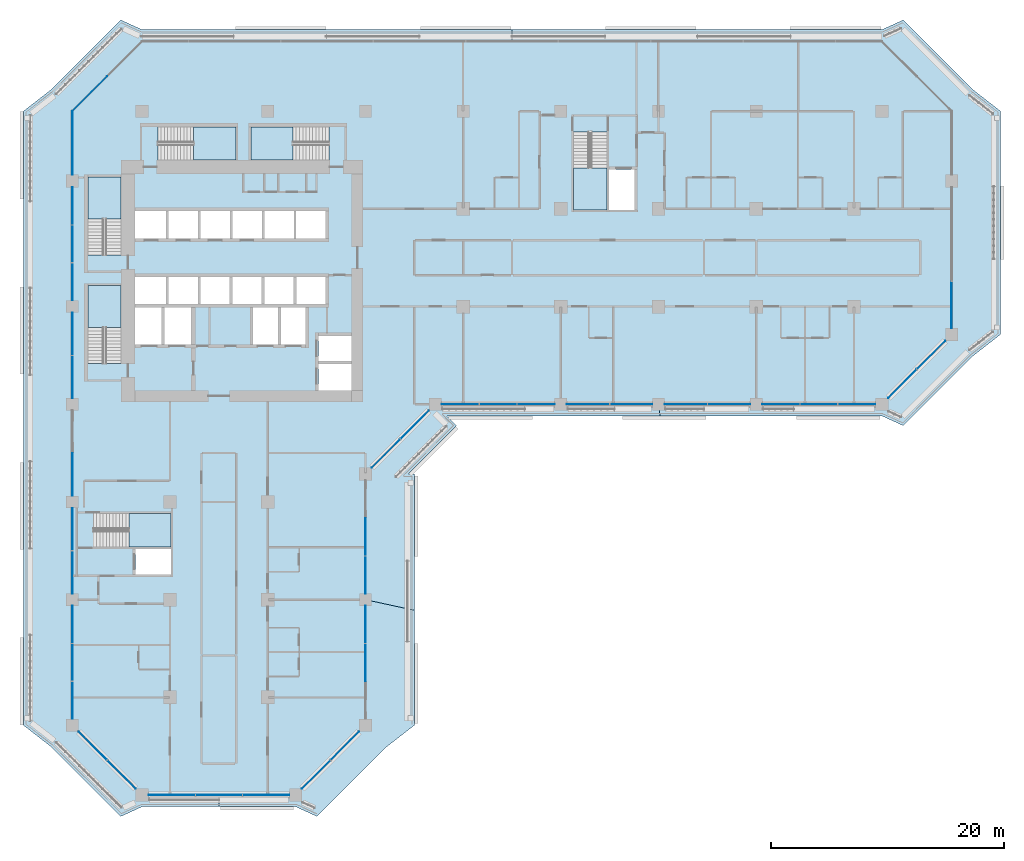
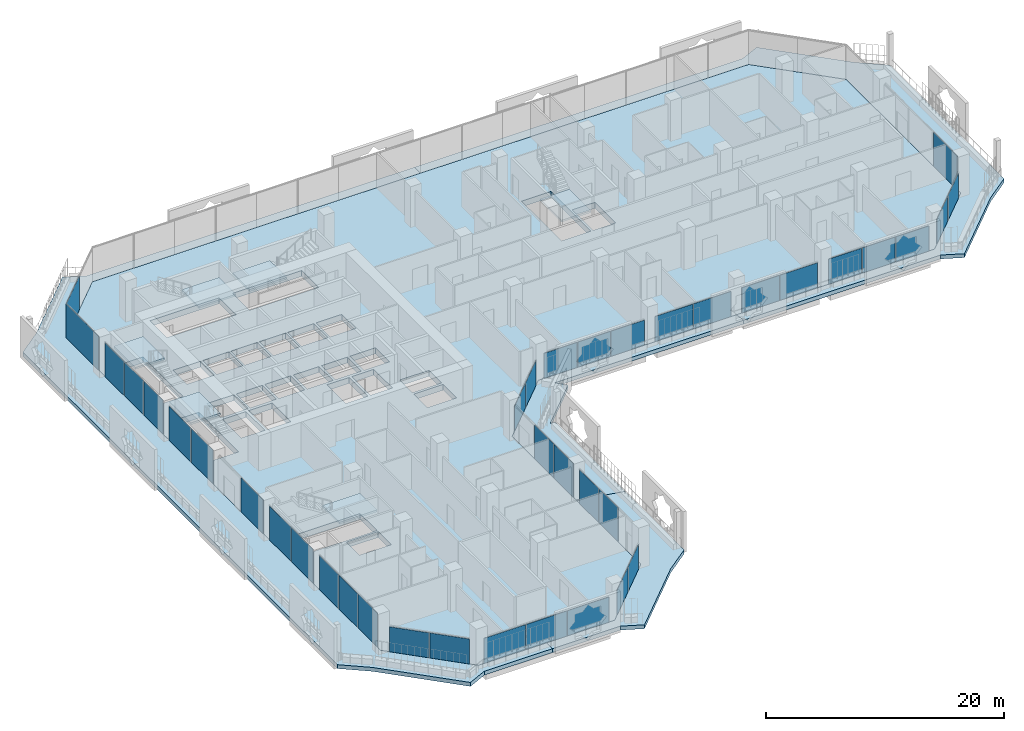
# One storey, part 10 of 25: 39 plates, 11 slabs, 16 elements without a shape of their own.
"""IFC4 building model written with IfcOpenShell, lengths in metres."""

from ifc_helpers import new_model, si_unit, direction, frame, origin, origin_2d, place, context, subcontext, project, spatial, polyline, rectangle, outline, extrude, material, layer, layer_set, type_object, element, aggregate, save


model = new_model("IFC4")

# Units and contexts
model_context = context("Model", 3, precision=1e-05, world=origin(), true_north=direction((0.0, 1.0)))
body_context = subcontext(model_context, "Body", "Model", "MODEL_VIEW")
ifc_project = project(units=[si_unit("LENGTHUNIT", "METRE"), si_unit("AREAUNIT", "SQUARE_METRE"), si_unit("VOLUMEUNIT", "CUBIC_METRE"), si_unit("PLANEANGLEUNIT", "RADIAN"), si_unit("MASSUNIT", "GRAM", prefix="KILO")], contexts=[model_context])

# Site, building, storey
site_placement = place(None, origin())
site = spatial("IfcSite", under=ifc_project, at=site_placement, CompositionType="ELEMENT")
building_placement = place(site_placement, origin())
building = spatial("IfcBuilding", under=site, at=building_placement, Name="Kawkab Arch Medical Tower", CompositionType="ELEMENT")
storey_placement = place(building_placement, frame((0.0, 0.0, 128.199951171875)))
storey = spatial("IfcBuildingStorey", under=building, at=storey_placement, Name="L29", CompositionType="ELEMENT", Elevation=128.199951171875)

# Curtain wall, plates
ifc_material_1 = material(Name="Bronze anodised aluminium curtain wall frame", Category="aluminium")
ifc_layer_1 = layer(ifc_material_1, 0.159912109375)
ifc_layer_set_1 = layer_set([ifc_layer_1], Name="Bronze anodised aluminium curtain wall frame")
curtain_wall_type_1 = type_object("IfcCurtainWallType", Name="CW1 ward curtain wall", PredefinedType="NOTDEFINED", material=ifc_layer_set_1)
placement_1 = place(storey_placement, origin())
curtain_wall_1 = element("IfcCurtainWall", 1, at=placement_1, inside=storey, type_object=curtain_wall_type_1, Name="CW1 Ward curtain wall R01", PredefinedType="NOTDEFINED")
ifc_material_2 = material(Name="Tinted insulating glass, bronze low-e coating", Category="glass")
ifc_layer_2 = layer(ifc_material_2, 0.031982421875)
ifc_layer_set_2 = layer_set([ifc_layer_2], Name="Tinted insulating glass, bronze low-e coating")
plate_type_1 = type_object("IfcPlateType", Name="CW1 glazing unit 32", PredefinedType="CURTAIN_PANEL", material=ifc_layer_set_2)
plate_1_placement = place(storey_placement, frame((0.0, -2.72509765625, 0.0), z_axis=(0.0, 0.0, 1.0), x_axis=(0.0, -1.0, 0.0)))
plate_1 = element("IfcPlate", 2, at=plate_1_placement, type_object=plate_type_1, Name="CW1 glazing unit 1.1", PredefinedType="CURTAIN_PANEL", context=body_context, shape_type="SweptSolid", body=[
    extrude(rectangle(XDim=5.449951171875, YDim=0.031982421875, at=origin_2d()), origin(), (0.0, 0.0, 1.0), 3.47998046875),
])
plate_2_placement = place(storey_placement, frame((0.0, -8.15576171875, 0.0), z_axis=(0.0, 0.0, 1.0), x_axis=(0.0, -1.0, 0.0)))
plate_2 = element("IfcPlate", 3, at=plate_2_placement, type_object=plate_type_1, Name="CW1 glazing unit 2.1", PredefinedType="CURTAIN_PANEL", context=body_context, shape_type="SweptSolid", body=[
    extrude(rectangle(XDim=3.211669921875, YDim=0.031982421875, at=origin_2d()), origin(), (0.0, 0.0, 1.0), 3.47998046875),
])
plate_3_placement = place(storey_placement, frame((0.0, -11.41259765625, 0.0), z_axis=(0.0, 0.0, 1.0), x_axis=(0.0, -1.0, 0.0)))
plate_3 = element("IfcPlate", 4, at=plate_3_placement, type_object=plate_type_1, Name="CW1 glazing unit 2.2", PredefinedType="CURTAIN_PANEL", context=body_context, shape_type="SweptSolid", body=[
    extrude(rectangle(XDim=3.181640625, YDim=0.031982421875, at=origin_2d()), origin(), (0.0, 0.0, 1.0), 3.47998046875),
])
plate_4_placement = place(storey_placement, frame((0.0, -14.669189453125, 0.0), z_axis=(0.0, 0.0, 1.0), x_axis=(0.0, -1.0, 0.0)))
plate_4 = element("IfcPlate", 5, at=plate_4_placement, type_object=plate_type_1, Name="CW1 glazing unit 2.3", PredefinedType="CURTAIN_PANEL", context=body_context, shape_type="SweptSolid", body=[
    extrude(rectangle(XDim=3.211669921875, YDim=0.031982421875, at=origin_2d()), origin(), (0.0, 0.0, 1.0), 3.47998046875),
])
plate_5_placement = place(storey_placement, frame((0.0, -19.1474609375, 0.0), z_axis=(0.0, 0.0, 1.0), x_axis=(0.0, -1.0, 0.0)))
plate_5 = element("IfcPlate", 6, at=plate_5_placement, type_object=plate_type_1, Name="CW1 glazing unit 3.1", PredefinedType="CURTAIN_PANEL", context=body_context, shape_type="SweptSolid", body=[
    extrude(rectangle(XDim=3.64501953125, YDim=0.031982421875, at=origin_2d()), origin(), (0.0, 0.0, 1.0), 3.47998046875),
])
plate_6_placement = place(storey_placement, frame((0.0, -22.8525390625, 0.0), z_axis=(0.0, 0.0, 1.0), x_axis=(0.0, -1.0, 0.0)))
plate_6 = element("IfcPlate", 7, at=plate_6_placement, type_object=plate_type_1, Name="CW1 glazing unit 3.2", PredefinedType="CURTAIN_PANEL", context=body_context, shape_type="SweptSolid", body=[
    extrude(rectangle(XDim=3.64501953125, YDim=0.031982421875, at=origin_2d()), origin(), (0.0, 0.0, 1.0), 3.47998046875),
])
plate_7_placement = place(storey_placement, frame((0.0, -31.237548828125, 0.0), z_axis=(0.0, 0.0, 1.0), x_axis=(0.0, -1.0, 0.0)))
plate_7 = element("IfcPlate", 8, at=plate_7_placement, type_object=plate_type_1, Name="CW1 glazing unit 4.2", PredefinedType="CURTAIN_PANEL", context=body_context, shape_type="SweptSolid", body=[
    extrude(rectangle(XDim=3.675048828125, YDim=0.031982421875, at=origin_2d()), origin(), (0.0, 0.0, 1.0), 3.47998046875),
])
plate_8_placement = place(storey_placement, frame((0.0, -35.947509765625, 0.0), z_axis=(0.0, 0.0, 1.0), x_axis=(0.0, -1.0, 0.0)))
plate_8 = element("IfcPlate", 9, at=plate_8_placement, type_object=plate_type_1, Name="CW1 glazing unit 5.1", PredefinedType="CURTAIN_PANEL", context=body_context, shape_type="SweptSolid", body=[
    extrude(rectangle(XDim=3.64501953125, YDim=0.031982421875, at=origin_2d()), origin(), (0.0, 0.0, 1.0), 3.47998046875),
])
plate_9_placement = place(storey_placement, frame((0.0, -39.652587890625, 0.0), z_axis=(0.0, 0.0, 1.0), x_axis=(0.0, -1.0, 0.0)))
plate_9 = element("IfcPlate", 10, at=plate_9_placement, type_object=plate_type_1, Name="CW1 glazing unit 5.2", PredefinedType="CURTAIN_PANEL", context=body_context, shape_type="SweptSolid", body=[
    extrude(rectangle(XDim=3.64501953125, YDim=0.031982421875, at=origin_2d()), origin(), (0.0, 0.0, 1.0), 3.47998046875),
])
plate_10_placement = place(storey_placement, frame((0.0, -44.130859375, 0.0), z_axis=(0.0, 0.0, 1.0), x_axis=(0.0, -1.0, 0.0)))
plate_10 = element("IfcPlate", 11, at=plate_10_placement, type_object=plate_type_1, Name="CW1 glazing unit 6.1", PredefinedType="CURTAIN_PANEL", context=body_context, shape_type="SweptSolid", body=[
    extrude(rectangle(XDim=3.211669921875, YDim=0.031982421875, at=origin_2d()), origin(), (0.0, 0.0, 1.0), 3.47998046875),
])
plate_11_placement = place(storey_placement, frame((0.0, -47.387451171875, 0.0), z_axis=(0.0, 0.0, 1.0), x_axis=(0.0, -1.0, 0.0)))
plate_11 = element("IfcPlate", 12, at=plate_11_placement, type_object=plate_type_1, Name="CW1 glazing unit 6.2", PredefinedType="CURTAIN_PANEL", context=body_context, shape_type="SweptSolid", body=[
    extrude(rectangle(XDim=3.181640625, YDim=0.031982421875, at=origin_2d()), origin(), (0.0, 0.0, 1.0), 3.47998046875),
])
plate_12_placement = place(storey_placement, frame((0.0, -50.644287109375, 0.0), z_axis=(0.0, 0.0, 1.0), x_axis=(0.0, -1.0, 0.0)))
plate_12 = element("IfcPlate", 13, at=plate_12_placement, type_object=plate_type_1, Name="CW1 glazing unit 6.3", PredefinedType="CURTAIN_PANEL", context=body_context, shape_type="SweptSolid", body=[
    extrude(rectangle(XDim=3.211669921875, YDim=0.031982421875, at=origin_2d()), origin(), (0.0, 0.0, 1.0), 3.47998046875),
])
aggregate(curtain_wall_1, [plate_1, plate_2, plate_3, plate_4, plate_5, plate_6, plate_7, plate_8, plate_9, plate_10, plate_11, plate_12])

curtain_wall_2 = element("IfcCurtainWall", 14, at=placement_1, inside=storey, type_object=curtain_wall_type_1, Name="CW1 Ward curtain wall R03", PredefinedType="NOTDEFINED")
plate_13_placement = place(storey_placement, frame((8.5517578125, -58.800048828125, 0.0), z_axis=(0.0, 0.0, 1.0), x_axis=(1.0, 0.0, 0.0)))
plate_13 = element("IfcPlate", 15, at=plate_13_placement, type_object=plate_type_1, Name="CW1 glazing unit 1.1", PredefinedType="CURTAIN_PANEL", context=body_context, shape_type="SweptSolid", body=[
    extrude(rectangle(XDim=4.00341796875, YDim=0.031982421875, at=origin_2d()), origin(), (0.0, 0.0, 1.0), 2.580078125),
])
plate_14_placement = place(storey_placement, frame((12.60009765625, -58.800048828125, 0.0), z_axis=(0.0, 0.0, 1.0), x_axis=(1.0, 0.0, 0.0)))
plate_14 = element("IfcPlate", 16, at=plate_14_placement, type_object=plate_type_1, Name="CW1 glazing unit 1.2", PredefinedType="CURTAIN_PANEL", context=body_context, shape_type="SweptSolid", body=[
    extrude(rectangle(XDim=3.973388671875, YDim=0.031982421875, at=origin_2d()), origin(), (0.0, 0.0, 1.0), 2.580078125),
])
plate_15_placement = place(storey_placement, frame((16.6484375, -58.800048828125, 0.0), z_axis=(0.0, 0.0, 1.0), x_axis=(1.0, 0.0, 0.0)))
plate_15 = element("IfcPlate", 17, at=plate_15_placement, type_object=plate_type_1, Name="CW1 glazing unit 1.3", PredefinedType="CURTAIN_PANEL", context=body_context, shape_type="SweptSolid", body=[
    extrude(rectangle(XDim=4.00341796875, YDim=0.031982421875, at=origin_2d()), origin(), (0.0, 0.0, 1.0), 2.580078125),
])
aggregate(curtain_wall_2, [plate_13, plate_14, plate_15])

curtain_wall_3 = element("IfcCurtainWall", 18, at=placement_1, inside=storey, type_object=curtain_wall_type_1, Name="CW1 Ward curtain wall R05", PredefinedType="NOTDEFINED")
plate_16_placement = place(storey_placement, frame((25.199951171875, -47.402587890625, 0.0), z_axis=(0.0, 0.0, 1.0), x_axis=(0.0, 1.0, 0.0)))
plate_16 = element("IfcPlate", 19, at=plate_16_placement, type_object=plate_type_1, Name="CW1 glazing unit 1.2", PredefinedType="CURTAIN_PANEL", context=body_context, shape_type="SweptSolid", body=[
    extrude(rectangle(XDim=3.211669921875, YDim=0.031982421875, at=origin_2d()), origin(), (0.0, 0.0, 1.0), 3.47998046875),
])
plate_17_placement = place(storey_placement, frame((25.199951171875, -44.130859375, 0.0), z_axis=(0.0, 0.0, 1.0), x_axis=(0.0, 1.0, 0.0)))
plate_17 = element("IfcPlate", 20, at=plate_17_placement, type_object=plate_type_1, Name="CW1 glazing unit 1.3", PredefinedType="CURTAIN_PANEL", context=body_context, shape_type="SweptSolid", body=[
    extrude(rectangle(XDim=3.211669921875, YDim=0.031982421875, at=origin_2d()), origin(), (0.0, 0.0, 1.0), 3.47998046875),
])
plate_18_placement = place(storey_placement, frame((25.199951171875, -39.869140625, 0.0), z_axis=(0.0, 0.0, 1.0), x_axis=(0.0, 1.0, 0.0)))
plate_18 = element("IfcPlate", 21, at=plate_18_placement, type_object=plate_type_1, Name="CW1 glazing unit 2.1", PredefinedType="CURTAIN_PANEL", context=body_context, shape_type="SweptSolid", body=[
    extrude(rectangle(XDim=3.211669921875, YDim=0.031982421875, at=origin_2d()), origin(), (0.0, 0.0, 1.0), 3.47998046875),
])
plate_19_placement = place(storey_placement, frame((25.199951171875, -36.597412109375, 0.0), z_axis=(0.0, 0.0, 1.0), x_axis=(0.0, 1.0, 0.0)))
plate_19 = element("IfcPlate", 22, at=plate_19_placement, type_object=plate_type_1, Name="CW1 glazing unit 2.2", PredefinedType="CURTAIN_PANEL", context=body_context, shape_type="SweptSolid", body=[
    extrude(rectangle(XDim=3.211669921875, YDim=0.031982421875, at=origin_2d()), origin(), (0.0, 0.0, 1.0), 3.47998046875),
])
aggregate(curtain_wall_3, [plate_16, plate_17, plate_18, plate_19])

curtain_wall_4 = element("IfcCurtainWall", 23, at=placement_1, inside=storey, type_object=curtain_wall_type_1, Name="CW1 Ward curtain wall R07", PredefinedType="NOTDEFINED")
plate_20_placement = place(storey_placement, frame((33.355712890625, -25.199951171875, 0.0), z_axis=(0.0, 0.0, 1.0), x_axis=(1.0, 0.0, 0.0)))
plate_20 = element("IfcPlate", 24, at=plate_20_placement, type_object=plate_type_1, Name="CW1 glazing unit 1.1", PredefinedType="CURTAIN_PANEL", context=body_context, shape_type="SweptSolid", body=[
    extrude(rectangle(XDim=3.211669921875, YDim=0.031982421875, at=origin_2d()), origin(), (0.0, 0.0, 1.0), 2.580078125),
])
plate_21_placement = place(storey_placement, frame((36.612548828125, -25.199951171875, 0.0), z_axis=(0.0, 0.0, 1.0), x_axis=(1.0, 0.0, 0.0)))
plate_21 = element("IfcPlate", 25, at=plate_21_placement, type_object=plate_type_1, Name="CW1 glazing unit 1.2", PredefinedType="CURTAIN_PANEL", context=body_context, shape_type="SweptSolid", body=[
    extrude(rectangle(XDim=3.181640625, YDim=0.031982421875, at=origin_2d()), origin(), (0.0, 0.0, 1.0), 2.580078125),
])
plate_22_placement = place(storey_placement, frame((39.869140625, -25.199951171875, 0.0), z_axis=(0.0, 0.0, 1.0), x_axis=(1.0, 0.0, 0.0)))
plate_22 = element("IfcPlate", 26, at=plate_22_placement, type_object=plate_type_1, Name="CW1 glazing unit 1.3", PredefinedType="CURTAIN_PANEL", context=body_context, shape_type="SweptSolid", body=[
    extrude(rectangle(XDim=3.211669921875, YDim=0.031982421875, at=origin_2d()), origin(), (0.0, 0.0, 1.0), 2.580078125),
])
plate_23_placement = place(storey_placement, frame((44.347412109375, -25.199951171875, 0.0), z_axis=(0.0, 0.0, 1.0), x_axis=(1.0, 0.0, 0.0)))
plate_23 = element("IfcPlate", 27, at=plate_23_placement, type_object=plate_type_1, Name="CW1 glazing unit 2.1", PredefinedType="CURTAIN_PANEL", context=body_context, shape_type="SweptSolid", body=[
    extrude(rectangle(XDim=3.64501953125, YDim=0.031982421875, at=origin_2d()), origin(), (0.0, 0.0, 1.0), 2.580078125),
])
plate_24_placement = place(storey_placement, frame((48.052490234375, -25.199951171875, 0.0), z_axis=(0.0, 0.0, 1.0), x_axis=(1.0, 0.0, 0.0)))
plate_24 = element("IfcPlate", 28, at=plate_24_placement, type_object=plate_type_1, Name="CW1 glazing unit 2.2", PredefinedType="CURTAIN_PANEL", context=body_context, shape_type="SweptSolid", body=[
    extrude(rectangle(XDim=3.64501953125, YDim=0.031982421875, at=origin_2d()), origin(), (0.0, 0.0, 1.0), 2.580078125),
])
plate_25_placement = place(storey_placement, frame((52.74755859375, -25.199951171875, 0.0), z_axis=(0.0, 0.0, 1.0), x_axis=(1.0, 0.0, 0.0)))
plate_25 = element("IfcPlate", 29, at=plate_25_placement, type_object=plate_type_1, Name="CW1 glazing unit 3.1", PredefinedType="CURTAIN_PANEL", context=body_context, shape_type="SweptSolid", body=[
    extrude(rectangle(XDim=3.64501953125, YDim=0.031982421875, at=origin_2d()), origin(), (0.0, 0.0, 1.0), 2.580078125),
])
plate_26_placement = place(storey_placement, frame((56.452392578125, -25.199951171875, 0.0), z_axis=(0.0, 0.0, 1.0), x_axis=(1.0, 0.0, 0.0)))
plate_26 = element("IfcPlate", 30, at=plate_26_placement, type_object=plate_type_1, Name="CW1 glazing unit 3.2", PredefinedType="CURTAIN_PANEL", context=body_context, shape_type="SweptSolid", body=[
    extrude(rectangle(XDim=3.64501953125, YDim=0.031982421875, at=origin_2d()), origin(), (0.0, 0.0, 1.0), 2.580078125),
])
plate_27_placement = place(storey_placement, frame((60.930908203125, -25.199951171875, 0.0), z_axis=(0.0, 0.0, 1.0), x_axis=(1.0, 0.0, 0.0)))
plate_27 = element("IfcPlate", 31, at=plate_27_placement, type_object=plate_type_1, Name="CW1 glazing unit 4.1", PredefinedType="CURTAIN_PANEL", context=body_context, shape_type="SweptSolid", body=[
    extrude(rectangle(XDim=3.211669921875, YDim=0.031982421875, at=origin_2d()), origin(), (0.0, 0.0, 1.0), 2.580078125),
])
plate_28_placement = place(storey_placement, frame((64.1875, -25.199951171875, 0.0), z_axis=(0.0, 0.0, 1.0), x_axis=(1.0, 0.0, 0.0)))
plate_28 = element("IfcPlate", 32, at=plate_28_placement, type_object=plate_type_1, Name="CW1 glazing unit 4.2", PredefinedType="CURTAIN_PANEL", context=body_context, shape_type="SweptSolid", body=[
    extrude(rectangle(XDim=3.181640625, YDim=0.031982421875, at=origin_2d()), origin(), (0.0, 0.0, 1.0), 2.580078125),
])
plate_29_placement = place(storey_placement, frame((67.444091796875, -25.199951171875, 0.0), z_axis=(0.0, 0.0, 1.0), x_axis=(1.0, 0.0, 0.0)))
plate_29 = element("IfcPlate", 33, at=plate_29_placement, type_object=plate_type_1, Name="CW1 glazing unit 4.3", PredefinedType="CURTAIN_PANEL", context=body_context, shape_type="SweptSolid", body=[
    extrude(rectangle(XDim=3.211669921875, YDim=0.031982421875, at=origin_2d()), origin(), (0.0, 0.0, 1.0), 2.580078125),
])
aggregate(curtain_wall_4, [plate_20, plate_21, plate_22, plate_23, plate_24, plate_25, plate_26, plate_27, plate_28, plate_29])

# Curtain wall, plate
curtain_wall_5 = element("IfcCurtainWall", 34, at=placement_1, inside=storey, type_object=curtain_wall_type_1, Name="CW1 Ward curtain wall R09", PredefinedType="NOTDEFINED")
plate_30_placement = place(storey_placement, frame((75.60009765625, -16.6484375, 0.0), z_axis=(0.0, 0.0, 1.0), x_axis=(0.0, 1.0, 0.0)))
plate_30 = element("IfcPlate", 35, at=plate_30_placement, type_object=plate_type_1, Name="CW1 glazing unit 1.1", PredefinedType="CURTAIN_PANEL", context=body_context, shape_type="SweptSolid", body=[
    extrude(rectangle(XDim=4.00341796875, YDim=0.031982421875, at=origin_2d()), origin(), (0.0, 0.0, 1.0), 3.47998046875),
])
aggregate(curtain_wall_5, [plate_30])

# Curtain wall, plates
ifc_material_3 = material(Name="Bronze anodised aluminium curtain wall frame", Category="aluminium")
ifc_layer_3 = layer(ifc_material_3, 0.159912109375)
ifc_layer_set_3 = layer_set([ifc_layer_3], Name="Bronze anodised aluminium curtain wall frame")
curtain_wall_type_2 = type_object("IfcCurtainWallType", Name="CW2 chamfer curtain wall", PredefinedType="NOTDEFINED", material=ifc_layer_set_3)
curtain_wall_6 = element("IfcCurtainWall", 36, at=placement_1, inside=storey, type_object=curtain_wall_type_2, Name="CW2 Chamfer curtain wall R02", PredefinedType="NOTDEFINED")
ifc_material_4 = material(Name="Tinted insulating glass, bronze low-e coating", Category="glass")
ifc_layer_4 = layer(ifc_material_4, 0.031982421875)
ifc_layer_set_4 = layer_set([ifc_layer_4], Name="Tinted insulating glass, bronze low-e coating")
plate_type_2 = type_object("IfcPlateType", Name="CW2 glazing unit 32", PredefinedType="CURTAIN_PANEL", material=ifc_layer_set_4)
plate_31_placement = place(storey_placement, frame((1.764404296875, -54.564453125, 0.0), z_axis=(0.0, 0.0, 1.0), x_axis=(0.707106781187, -0.707106781187, 0.0)))
plate_31 = element("IfcPlate", 37, at=plate_31_placement, type_object=plate_type_2, Name="CW2 glazing unit 1.1", PredefinedType="CURTAIN_PANEL", context=body_context, shape_type="SweptSolid", body=[
    extrude(rectangle(XDim=3.434814453125, YDim=0.031982421875, at=origin_2d()), origin(), (0.0, 0.0, 1.0), 2.56005859375),
])
plate_32_placement = place(storey_placement, frame((4.235595703125, -57.03564453125, 0.0), z_axis=(0.0, 0.0, 1.0), x_axis=(0.707106781187, -0.707106781187, 0.0)))
plate_32 = element("IfcPlate", 38, at=plate_32_placement, type_object=plate_type_2, Name="CW2 glazing unit 1.2", PredefinedType="CURTAIN_PANEL", context=body_context, shape_type="SweptSolid", body=[
    extrude(rectangle(XDim=3.434814453125, YDim=0.031982421875, at=origin_2d()), origin(), (0.0, 0.0, 1.0), 2.56005859375),
])
aggregate(curtain_wall_6, [plate_31, plate_32])

curtain_wall_7 = element("IfcCurtainWall", 39, at=placement_1, inside=storey, type_object=curtain_wall_type_2, Name="CW2 Chamfer curtain wall R04", PredefinedType="NOTDEFINED")
plate_33_placement = place(storey_placement, frame((20.96435546875, -57.03564453125, 0.0), z_axis=(0.0, 0.0, 1.0), x_axis=(0.707106781187, 0.707106781187, 0.0)))
plate_33 = element("IfcPlate", 40, at=plate_33_placement, type_object=plate_type_2, Name="CW2 glazing unit 1.1", PredefinedType="CURTAIN_PANEL", context=body_context, shape_type="SweptSolid", body=[
    extrude(rectangle(XDim=3.434814453125, YDim=0.031982421875, at=origin_2d()), origin(), (0.0, 0.0, 1.0), 2.56005859375),
])
plate_34_placement = place(storey_placement, frame((23.435546875, -54.564453125, 0.0), z_axis=(0.0, 0.0, 1.0), x_axis=(0.707106781187, 0.707106781187, 0.0)))
plate_34 = element("IfcPlate", 41, at=plate_34_placement, type_object=plate_type_2, Name="CW2 glazing unit 1.2", PredefinedType="CURTAIN_PANEL", context=body_context, shape_type="SweptSolid", body=[
    extrude(rectangle(XDim=3.434814453125, YDim=0.031982421875, at=origin_2d()), origin(), (0.0, 0.0, 1.0), 2.56005859375),
])
aggregate(curtain_wall_7, [plate_33, plate_34])

curtain_wall_8 = element("IfcCurtainWall", 42, at=placement_1, inside=storey, type_object=curtain_wall_type_2, Name="CW2 Chamfer curtain wall R06", PredefinedType="NOTDEFINED")
plate_35_placement = place(storey_placement, frame((26.96435546875, -29.435546875, 0.0), z_axis=(0.0, 0.0, 1.0), x_axis=(0.707106781187, 0.707106781187, 0.0)))
plate_35 = element("IfcPlate", 43, at=plate_35_placement, type_object=plate_type_2, Name="CW2 glazing unit 1.1", PredefinedType="CURTAIN_PANEL", context=body_context, shape_type="SweptSolid", body=[
    extrude(rectangle(XDim=3.434814453125, YDim=0.031982421875, at=origin_2d()), origin(), (0.0, 0.0, 1.0), 2.56005859375),
])
plate_36_placement = place(storey_placement, frame((29.435546875, -26.96435546875, 0.0), z_axis=(0.0, 0.0, 1.0), x_axis=(0.707106781187, 0.707106781187, 0.0)))
plate_36 = element("IfcPlate", 44, at=plate_36_placement, type_object=plate_type_2, Name="CW2 glazing unit 1.2", PredefinedType="CURTAIN_PANEL", context=body_context, shape_type="SweptSolid", body=[
    extrude(rectangle(XDim=3.434814453125, YDim=0.031982421875, at=origin_2d()), origin(), (0.0, 0.0, 1.0), 2.56005859375),
])
aggregate(curtain_wall_8, [plate_35, plate_36])

curtain_wall_9 = element("IfcCurtainWall", 45, at=placement_1, inside=storey, type_object=curtain_wall_type_2, Name="CW2 Chamfer curtain wall R08", PredefinedType="NOTDEFINED")
plate_37_placement = place(storey_placement, frame((71.364501953125, -23.435546875, 0.0), z_axis=(0.0, 0.0, 1.0), x_axis=(0.707106781187, 0.707106781187, 0.0)))
plate_37 = element("IfcPlate", 46, at=plate_37_placement, type_object=plate_type_2, Name="CW2 glazing unit 1.1", PredefinedType="CURTAIN_PANEL", context=body_context, shape_type="SweptSolid", body=[
    extrude(rectangle(XDim=3.434814453125, YDim=0.031982421875, at=origin_2d()), origin(), (0.0, 0.0, 1.0), 2.56005859375),
])
plate_38_placement = place(storey_placement, frame((73.835693359375, -20.96435546875, 0.0), z_axis=(0.0, 0.0, 1.0), x_axis=(0.707106781187, 0.707106781187, 0.0)))
plate_38 = element("IfcPlate", 47, at=plate_38_placement, type_object=plate_type_2, Name="CW2 glazing unit 1.2", PredefinedType="CURTAIN_PANEL", context=body_context, shape_type="SweptSolid", body=[
    extrude(rectangle(XDim=3.434814453125, YDim=0.031982421875, at=origin_2d()), origin(), (0.0, 0.0, 1.0), 2.56005859375),
])
aggregate(curtain_wall_9, [plate_37, plate_38])

# Curtain wall, plate
curtain_wall_10 = element("IfcCurtainWall", 48, at=placement_1, inside=storey, type_object=curtain_wall_type_2, Name="CW2 Chamfer curtain wall R12", PredefinedType="NOTDEFINED")
plate_39_placement = place(storey_placement, frame((1.5, 1.5, 0.0), z_axis=(0.0, 0.0, 1.0), x_axis=(-0.707106781187, -0.707106781187, 0.0)))
plate_39 = element("IfcPlate", 49, at=plate_39_placement, type_object=plate_type_2, Name="CW2 glazing unit 2.1", PredefinedType="CURTAIN_PANEL", context=body_context, shape_type="SweptSolid", body=[
    extrude(rectangle(XDim=4.24267578125, YDim=0.031982421875, at=origin_2d()), origin(), (0.0, 0.0, 1.0), 3.4599609375),
])
aggregate(curtain_wall_10, [plate_39])

# Stair, slab
ifc_material_5 = material(Name="Concrete C40/50", Category="concrete")
stair_type = type_object("IfcStairType", Name="Exit stair 1350", PredefinedType="HALF_TURN_STAIR", material=ifc_material_5)
stair_1 = element("IfcStair", 50, at=placement_1, inside=storey, type_object=stair_type, Name="L29 Exit stair ST1", PredefinedType="HALF_TURN_STAIR")
ifc_material_6 = material(Name="Concrete C40/50", Category="concrete")
ifc_layer_5 = layer(ifc_material_6, 0.199951171875)
ifc_layer_set_5 = layer_set([ifc_layer_5], Name="Concrete C40/50")
slab_type_1 = type_object("IfcSlabType", Name="Exit stair landing 200", PredefinedType="LANDING", material=ifc_layer_set_5)
placement_2 = place(storey_placement, frame((0.0, 0.0, 1.900146484375)))
slab_1 = element("IfcSlab", 51, at=placement_2, type_object=slab_type_1, Name="ST1 landing 1", PredefinedType="LANDING", context=body_context, shape_type="SweptSolid", body=[
    extrude(outline(polyline([(4.199951171875, -9.27001953125), (4.199951171875, -5.64990234375), (1.35009765625, -5.64990234375), (1.35009765625, -9.27001953125), (4.199951171875, -9.27001953125)])), origin(), (0.0, 0.0, 1.0), 0.199951171875),
])
aggregate(stair_1, [slab_1])

stair_2 = element("IfcStair", 52, at=placement_1, inside=storey, type_object=stair_type, Name="L29 Exit stair ST2", PredefinedType="HALF_TURN_STAIR")
slab_2 = element("IfcSlab", 53, at=placement_2, type_object=slab_type_1, Name="ST2 landing 1", PredefinedType="LANDING", context=body_context, shape_type="SweptSolid", body=[
    extrude(outline(polyline([(4.199951171875, -18.6201171875), (4.199951171875, -15.0), (1.35009765625, -15.0), (1.35009765625, -18.6201171875), (4.199951171875, -18.6201171875)])), origin(), (0.0, 0.0, 1.0), 0.199951171875),
])
aggregate(stair_2, [slab_2])

stair_3 = element("IfcStair", 54, at=placement_1, inside=storey, type_object=stair_type, Name="L29 Exit stair ST3", PredefinedType="HALF_TURN_STAIR")
slab_3 = element("IfcSlab", 55, at=placement_2, type_object=slab_type_1, Name="ST3 landing 1", PredefinedType="LANDING", context=body_context, shape_type="SweptSolid", body=[
    extrude(outline(polyline([(10.429931640625, -4.199951171875), (14.050048828125, -4.199951171875), (14.050048828125, -1.35009765625), (10.429931640625, -1.35009765625), (10.429931640625, -4.199951171875)])), origin(), (0.0, 0.0, 1.0), 0.199951171875),
])
aggregate(stair_3, [slab_3])

stair_4 = element("IfcStair", 56, at=placement_1, inside=storey, type_object=stair_type, Name="L29 Exit stair ST4", PredefinedType="HALF_TURN_STAIR")
slab_4 = element("IfcSlab", 57, at=placement_2, type_object=slab_type_1, Name="ST4 landing 1", PredefinedType="LANDING", context=body_context, shape_type="SweptSolid", body=[
    extrude(outline(polyline([(18.969970703125, -1.35009765625), (15.35009765625, -1.35009765625), (15.35009765625, -4.199951171875), (18.969970703125, -4.199951171875), (18.969970703125, -1.35009765625)])), origin(), (0.0, 0.0, 1.0), 0.199951171875),
])
aggregate(stair_4, [slab_4])

stair_5 = element("IfcStair", 58, at=placement_1, inside=storey, type_object=stair_type, Name="L29 Exit stair ST5", PredefinedType="HALF_TURN_STAIR")
slab_5 = element("IfcSlab", 59, at=placement_2, type_object=slab_type_1, Name="ST5 landing 1", PredefinedType="LANDING", context=body_context, shape_type="SweptSolid", body=[
    extrude(outline(polyline([(43.10009765625, -4.8798828125), (43.10009765625, -8.5), (45.949951171875, -8.5), (45.949951171875, -4.8798828125), (43.10009765625, -4.8798828125)])), origin(), (0.0, 0.0, 1.0), 0.199951171875),
])
aggregate(stair_5, [slab_5])

stair_6 = element("IfcStair", 60, at=placement_1, inside=storey, type_object=stair_type, Name="L29 Exit stair ST6", PredefinedType="HALF_TURN_STAIR")
slab_6 = element("IfcSlab", 61, at=placement_2, type_object=slab_type_1, Name="ST6 landing 1", PredefinedType="LANDING", context=body_context, shape_type="SweptSolid", body=[
    extrude(outline(polyline([(4.8798828125, -37.449951171875), (8.5, -37.449951171875), (8.5, -34.60009765625), (4.8798828125, -34.60009765625), (4.8798828125, -37.449951171875)])), origin(), (0.0, 0.0, 1.0), 0.199951171875),
])
aggregate(stair_6, [slab_6])

# Slabs
ifc_material_7 = material(Name="Concrete C45/55", Category="concrete")
ifc_layer_6 = layer(ifc_material_7, 0.60009765625)
ifc_layer_set_6 = layer_set([ifc_layer_6], Name="Concrete C45/55")
slab_type_2 = type_object("IfcSlabType", Name="Flat plate 600 C45/55", PredefinedType="FLOOR", material=ifc_layer_set_6)
slab_7_placement = place(storey_placement, frame((0.0, 0.0, -0.599853515625)))
element("IfcSlab", 62, at=slab_7_placement, inside=storey, type_object=slab_type_2, Name="Floor slab L29", PredefinedType="FLOOR", context=body_context, shape_type="SweptSolid", body=[
    extrude(outline(polyline([(6.0, 6.0), (69.60009765625, 6.0), (75.60009765625, 0.0), (75.60009765625, -19.199951171875), (69.60009765625, -25.199951171875), (31.199951171875, -25.199951171875), (25.199951171875, -31.199951171875), (25.199951171875, -52.800048828125), (19.199951171875, -58.800048828125), (6.0, -58.800048828125), (0.0, -52.800048828125), (0.0, 0.0), (6.0, 6.0)]), holes=[polyline([(5.425048828125, -37.64990234375), (5.425048828125, -39.85009765625), (8.5, -39.85009765625), (8.5, -37.64990234375), (5.425048828125, -37.64990234375)]), polyline([(1.800048828125, -37.449951171875), (8.5, -37.449951171875), (8.5, -34.60009765625), (1.800048828125, -34.60009765625), (1.800048828125, -37.449951171875)]), polyline([(5.39990234375, -16.89990234375), (5.39990234375, -20.050048828125), (7.675048828125, -20.050048828125), (7.675048828125, -16.89990234375), (5.39990234375, -16.89990234375)]), polyline([(10.199951171875, -16.89990234375), (7.925048828125, -16.89990234375), (7.925048828125, -20.050048828125), (10.199951171875, -20.050048828125), (10.199951171875, -16.89990234375)]), polyline([(4.199951171875, -21.699951171875), (4.199951171875, -15.0), (1.35009765625, -15.0), (1.35009765625, -21.699951171875), (4.199951171875, -21.699951171875)]), polyline([(5.39990234375, -14.25), (5.39990234375, -16.60009765625), (8.050048828125, -16.60009765625), (8.050048828125, -14.25), (5.39990234375, -14.25)]), polyline([(10.800048828125, -14.25), (8.25, -14.25), (8.25, -16.60009765625), (10.800048828125, -16.60009765625), (10.800048828125, -14.25)]), polyline([(11.0, -14.25), (11.0, -16.60009765625), (13.52490234375, -16.60009765625), (13.52490234375, -14.25), (11.0, -14.25)]), polyline([(5.39990234375, -8.60009765625), (5.39990234375, -10.949951171875), (8.050048828125, -10.949951171875), (8.050048828125, -8.60009765625), (5.39990234375, -8.60009765625)]), polyline([(10.800048828125, -8.60009765625), (8.25, -8.60009765625), (8.25, -10.949951171875), (10.800048828125, -10.949951171875), (10.800048828125, -8.60009765625)]), polyline([(11.0, -10.949951171875), (13.550048828125, -10.949951171875), (13.550048828125, -8.60009765625), (11.0, -8.60009765625), (11.0, -10.949951171875)]), polyline([(4.199951171875, -12.35009765625), (4.199951171875, -5.64990234375), (1.35009765625, -5.64990234375), (1.35009765625, -12.35009765625), (4.199951171875, -12.35009765625)]), polyline([(7.35009765625, -4.199951171875), (14.050048828125, -4.199951171875), (14.050048828125, -1.35009765625), (7.35009765625, -1.35009765625), (7.35009765625, -4.199951171875)]), polyline([(24.0, -21.72509765625), (21.14990234375, -21.72509765625), (21.14990234375, -24.0), (24.0, -24.0), (24.0, -21.72509765625)]), polyline([(24.0, -21.47509765625), (24.0, -19.35009765625), (21.14990234375, -19.35009765625), (21.14990234375, -21.47509765625), (24.0, -21.47509765625)]), polyline([(15.52490234375, -16.89990234375), (15.52490234375, -20.050048828125), (17.675048828125, -20.050048828125), (17.675048828125, -16.89990234375), (15.52490234375, -16.89990234375)]), polyline([(17.925048828125, -20.050048828125), (20.050048828125, -20.050048828125), (20.050048828125, -16.89990234375), (17.925048828125, -16.89990234375), (17.925048828125, -20.050048828125)]), polyline([(16.27490234375, -14.25), (13.77490234375, -14.25), (13.77490234375, -16.60009765625), (16.27490234375, -16.60009765625), (16.27490234375, -14.25)]), polyline([(19.02490234375, -14.25), (16.52490234375, -14.25), (16.52490234375, -16.60009765625), (19.02490234375, -16.60009765625), (19.02490234375, -14.25)]), polyline([(19.27490234375, -16.60009765625), (21.75, -16.60009765625), (21.75, -14.25), (19.27490234375, -14.25), (19.27490234375, -16.60009765625)]), polyline([(13.75, -8.60009765625), (13.75, -10.949951171875), (16.300048828125, -10.949951171875), (16.300048828125, -8.60009765625), (13.75, -8.60009765625)]), polyline([(16.5, -8.60009765625), (16.5, -10.949951171875), (19.050048828125, -10.949951171875), (19.050048828125, -8.60009765625), (16.5, -8.60009765625)]), polyline([(19.25, -10.949951171875), (21.75, -10.949951171875), (21.75, -8.60009765625), (19.25, -8.60009765625), (19.25, -10.949951171875)]), polyline([(46.14990234375, -5.02490234375), (46.14990234375, -8.5), (48.35009765625, -8.5), (48.35009765625, -5.02490234375), (46.14990234375, -5.02490234375)]), polyline([(43.10009765625, -1.800048828125), (43.10009765625, -8.5), (45.949951171875, -8.5), (45.949951171875, -1.800048828125), (43.10009765625, -1.800048828125)]), polyline([(22.050048828125, -1.35009765625), (15.35009765625, -1.35009765625), (15.35009765625, -4.199951171875), (22.050048828125, -4.199951171875), (22.050048828125, -1.35009765625)])]), origin(), (0.0, 0.0, 1.0), 0.599853515625),
])
ifc_material_8 = material(Name="Concrete C40/50", Category="concrete")
ifc_layer_7 = layer(ifc_material_8, 0.39990234375)
ifc_layer_set_7 = layer_set([ifc_layer_7], Name="Concrete C40/50")
slab_type_3 = type_object("IfcSlabType", Name="Loggia slab 400", PredefinedType="FLOOR", material=ifc_layer_set_7)
placement_3 = place(storey_placement, frame((0.0, 0.0, -0.39990234375)))
element("IfcSlab", 63, at=placement_3, inside=storey, type_object=slab_type_3, Name="Loggia slab L29.1", PredefinedType="FLOOR", context=body_context, shape_type="SweptSolid", body=[
    extrude(outline(polyline([(19.199951171875, -59.800048828125), (12.60009765625, -59.800048828125), (12.60009765625, -58.800048828125), (19.199951171875, -58.800048828125), (25.199951171875, -52.800048828125), (25.199951171875, -42.0), (29.39990234375, -42.9130859375), (29.39990234375, -52.800048828125), (27.0380859375, -54.637939453125), (21.0380859375, -60.637939453125), (19.199951171875, -59.800048828125)])), origin(), (0.0, 0.0, 1.0), 0.39990234375),
])
element("IfcSlab", 64, at=placement_3, inside=storey, type_object=slab_type_3, Name="Loggia slab L29.2", PredefinedType="FLOOR", context=body_context, shape_type="SweptSolid", body=[
    extrude(outline(polyline([(33.037109375, -27.0380859375), (28.8759765625, -31.199951171875), (29.39990234375, -31.199951171875), (29.39990234375, -42.9130859375), (25.199951171875, -42.0), (25.199951171875, -31.199951171875), (31.199951171875, -25.199951171875), (50.39990234375, -25.199951171875), (50.534912109375, -26.199951171875), (32.198974609375, -26.199951171875), (33.037109375, -27.0380859375)])), origin(), (0.0, 0.0, 1.0), 0.39990234375),
])
element("IfcSlab", 65, at=placement_3, inside=storey, type_object=slab_type_3, Name="Loggia slab L29.3", PredefinedType="FLOOR", context=body_context, shape_type="SweptSolid", body=[
    extrude(outline(polyline([(-4.199951171875, 0.0), (-1.837890625, 1.837890625), (4.162109375, 7.837890625), (6.0, 7.0), (37.800048828125, 7.0), (37.800048828125, 6.0), (6.0, 6.0), (0.0, 0.0), (-0.0009765625, 0.0), (-0.0009765625, -52.800048828125), (0.0, -52.800048828125), (6.0, -58.800048828125), (12.60009765625, -58.800048828125), (12.60009765625, -59.800048828125), (6.0, -59.800048828125), (4.162109375, -60.637939453125), (-1.837890625, -54.637939453125), (-4.199951171875, -52.800048828125), (-4.199951171875, 0.0)])), origin(), (0.0, 0.0, 1.0), 0.39990234375),
])
element("IfcSlab", 66, at=placement_3, inside=storey, type_object=slab_type_3, Name="Loggia slab L29.4", PredefinedType="FLOOR", context=body_context, shape_type="SweptSolid", body=[
    extrude(outline(polyline([(37.800048828125, 7.0), (69.60009765625, 7.0), (71.43798828125, 7.837890625), (77.43798828125, 1.837890625), (79.800048828125, 0.0), (79.800048828125, -19.199951171875), (77.43798828125, -21.0380859375), (71.43798828125, -27.0380859375), (69.60009765625, -26.199951171875), (50.534912109375, -26.199951171875), (50.39990234375, -25.199951171875), (69.60009765625, -25.199951171875), (75.60009765625, -19.199951171875), (75.60009765625, 0.0), (69.60009765625, 6.0), (37.800048828125, 6.0), (37.800048828125, 7.0)])), origin(), (0.0, 0.0, 1.0), 0.39990234375),
])

save(model, "model.ifc")
